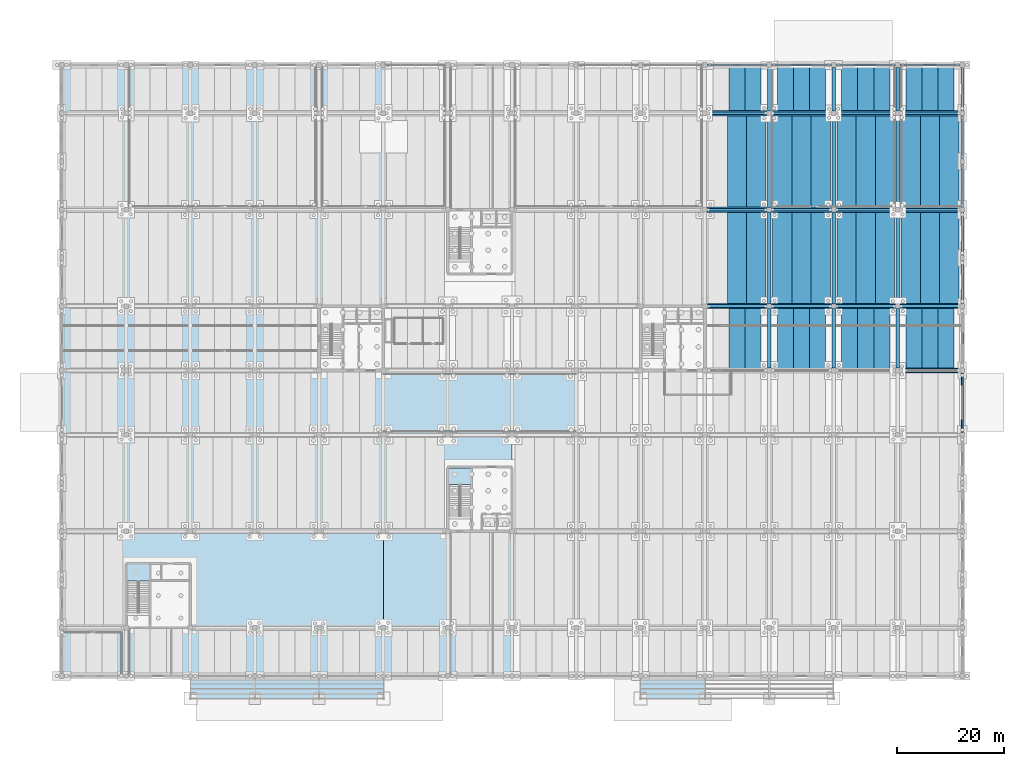
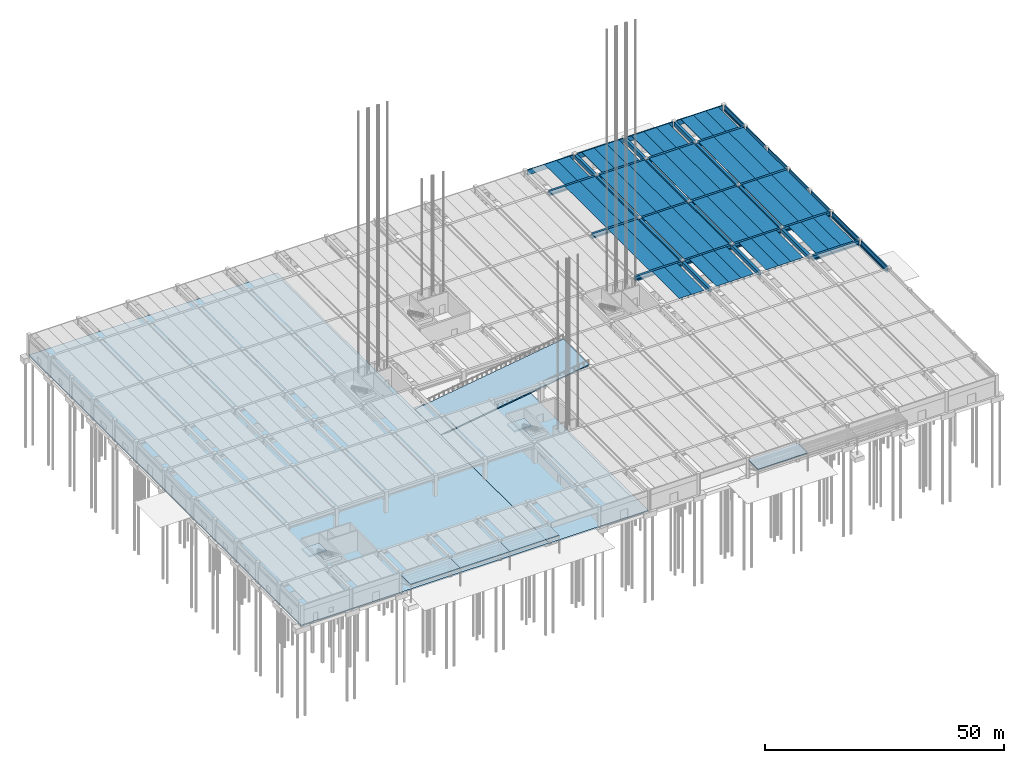
# One storey, part 23 of 59: 80 beams, 9 slabs, 2 elements without a shape of their own.
"""IFC4 building model written with IfcOpenShell, lengths in metres."""

from ifc_helpers import new_model, si_unit, direction, frame, origin, origin_2d, place, context, subcontext, project, spatial, polyline, rectangle, outline, extrude, material, layer, layer_set, material_profile, profile_set, type_object, element, aggregate, save


model = new_model("IFC4")

# Units and contexts
model_context = context("Model", 3, precision=1e-05, world=origin(), true_north=direction((0.0, 1.0)))
body_context = subcontext(model_context, "Body", "Model", "MODEL_VIEW")
ifc_project = project(units=[si_unit("LENGTHUNIT", "METRE"), si_unit("AREAUNIT", "SQUARE_METRE"), si_unit("VOLUMEUNIT", "CUBIC_METRE"), si_unit("PLANEANGLEUNIT", "RADIAN"), si_unit("MASSUNIT", "GRAM", prefix="KILO")], contexts=[model_context])

# Site, building, storey
site_placement = place(None, origin())
site = spatial("IfcSite", under=ifc_project, at=site_placement, CompositionType="ELEMENT")
building_placement = place(site_placement, origin())
building = spatial("IfcBuilding", under=site, at=building_placement, Name="Girod Span Mobility Hub", CompositionType="ELEMENT")
storey_placement = place(building_placement, origin())
storey = spatial("IfcBuildingStorey", under=building, at=storey_placement, Name="L00", CompositionType="ELEMENT", Elevation=0.0)

# Beams
ifc_material_1 = material(Name="Concrete C50/60", Category="concrete")
ifc_material_profile_1 = material_profile(ifc_material_1, outline(polyline([(-1.5, 0.35009765625), (-1.5, 0.2548828125), (-0.840087890625, 0.2548828125), (-0.81494140625, -0.35009765625), (-0.68505859375, -0.35009765625), (-0.659912109375, 0.2548828125), (0.659912109375, 0.2548828125), (0.68505859375, -0.35009765625), (0.81494140625, -0.35009765625), (0.840087890625, 0.2548828125), (1.5, 0.2548828125), (1.5, 0.35009765625), (-1.5, 0.35009765625)])), Name="DT-3000X700")
ifc_profile_set_1 = profile_set([ifc_material_profile_1], Name="Concrete C50/60")
beam_type_1 = type_object("IfcBeamType", Name="BM-DT-3000X700", PredefinedType="JOIST", material=ifc_profile_set_1)
for number, where, z_axis, x_axis, name in (
    (1, (126.0, 57.27197265625, 4.85009765625), (0.0, 1.0, 0.0), (-1.0, 0.0, 0.0), "Double-Tee Deck 11/E-2 L00"),
    (2, (129.0, 57.27197265625, 4.85009765625), (0.0, 1.0, 0.0), (-1.0, 0.0, 0.0), "Double-Tee Deck 11/E-3 L00"),
):
    element("IfcBeam", number, at=place(storey_placement, frame(where, z_axis=z_axis, x_axis=x_axis)), inside=storey, type_object=beam_type_1, Name=name, PredefinedType="JOIST", context=body_context, shape_type="SweptSolid", body=[
        extrude(outline(polyline([(-1.5, 0.35009765625), (-1.5, 0.2548828125), (-0.840087890625, 0.2548828125), (-0.81494140625, -0.35009765625), (-0.68505859375, -0.35009765625), (-0.659912109375, 0.2548828125), (0.659912109375, 0.2548828125), (0.68505859375, -0.35009765625), (0.81494140625, -0.35009765625), (0.840087890625, 0.2548828125), (1.5, 0.2548828125), (1.5, 0.35009765625), (-1.5, 0.35009765625)])), origin(), (0.0, 0.0, 1.0), 11.4560546875),
    ])
for number, where, z_axis, x_axis, name in (
    (3, (126.0, 105.27197265625, 4.85009765625), (0.0, 1.0, 0.0), (-1.0, 0.0, 0.0), "Double-Tee Deck 11/H-2 L00"),
    (4, (129.0, 105.27197265625, 4.85009765625), (0.0, 1.0, 0.0), (-1.0, 0.0, 0.0), "Double-Tee Deck 11/H-3 L00"),
):
    element("IfcBeam", number, at=place(storey_placement, frame(where, z_axis=z_axis, x_axis=x_axis)), inside=storey, type_object=beam_type_1, Name=name, PredefinedType="JOIST", context=body_context, shape_type="SweptSolid", body=[
        extrude(outline(polyline([(-1.5, 0.35009765625), (-1.5, 0.2548828125), (-0.840087890625, 0.2548828125), (-0.81494140625, -0.35009765625), (-0.68505859375, -0.35009765625), (-0.659912109375, 0.2548828125), (0.659912109375, 0.2548828125), (0.68505859375, -0.35009765625), (0.81494140625, -0.35009765625), (0.840087890625, 0.2548828125), (1.5, 0.2548828125), (1.5, 0.35009765625), (-1.5, 0.35009765625)])), origin(), (0.0, 0.0, 1.0), 8.506103515625),
    ])
for number, where, z_axis, x_axis, name in (
    (5, (135.0, 57.27197265625, 4.85009765625), (0.0, 1.0, 0.0), (-1.0, 0.0, 0.0), "Double-Tee Deck 12/E-1 L00"),
    (6, (138.0, 57.27197265625, 4.85009765625), (0.0, 1.0, 0.0), (-1.0, 0.0, 0.0), "Double-Tee Deck 12/E-2 L00"),
    (7, (141.0, 57.27197265625, 4.85009765625), (0.0, 1.0, 0.0), (-1.0, 0.0, 0.0), "Double-Tee Deck 12/E-3 L00"),
):
    element("IfcBeam", number, at=place(storey_placement, frame(where, z_axis=z_axis, x_axis=x_axis)), inside=storey, type_object=beam_type_1, Name=name, PredefinedType="JOIST", context=body_context, shape_type="SweptSolid", body=[
        extrude(outline(polyline([(-1.5, 0.35009765625), (-1.5, 0.2548828125), (-0.840087890625, 0.2548828125), (-0.81494140625, -0.35009765625), (-0.68505859375, -0.35009765625), (-0.659912109375, 0.2548828125), (0.659912109375, 0.2548828125), (0.68505859375, -0.35009765625), (0.81494140625, -0.35009765625), (0.840087890625, 0.2548828125), (1.5, 0.2548828125), (1.5, 0.35009765625), (-1.5, 0.35009765625)])), origin(), (0.0, 0.0, 1.0), 11.4560546875),
    ])
for number, where, z_axis, x_axis, name in (
    (8, (135.0, 105.27197265625, 4.85009765625), (0.0, 1.0, 0.0), (-1.0, 0.0, 0.0), "Double-Tee Deck 12/H-1 L00"),
    (9, (138.0, 105.27197265625, 4.85009765625), (0.0, 1.0, 0.0), (-1.0, 0.0, 0.0), "Double-Tee Deck 12/H-2 L00"),
    (10, (141.0, 105.27197265625, 4.85009765625), (0.0, 1.0, 0.0), (-1.0, 0.0, 0.0), "Double-Tee Deck 12/H-3 L00"),
):
    element("IfcBeam", number, at=place(storey_placement, frame(where, z_axis=z_axis, x_axis=x_axis)), inside=storey, type_object=beam_type_1, Name=name, PredefinedType="JOIST", context=body_context, shape_type="SweptSolid", body=[
        extrude(outline(polyline([(-1.5, 0.35009765625), (-1.5, 0.2548828125), (-0.840087890625, 0.2548828125), (-0.81494140625, -0.35009765625), (-0.68505859375, -0.35009765625), (-0.659912109375, 0.2548828125), (0.659912109375, 0.2548828125), (0.68505859375, -0.35009765625), (0.81494140625, -0.35009765625), (0.840087890625, 0.2548828125), (1.5, 0.2548828125), (1.5, 0.35009765625), (-1.5, 0.35009765625)])), origin(), (0.0, 0.0, 1.0), 8.506103515625),
    ])
for number, where, z_axis, x_axis, name in (
    (11, (147.0, 57.27197265625, 4.85009765625), (0.0, 1.0, 0.0), (-1.0, 0.0, 0.0), "Double-Tee Deck 13/E-1 L00"),
    (12, (150.0, 57.27197265625, 4.85009765625), (0.0, 1.0, 0.0), (-1.0, 0.0, 0.0), "Double-Tee Deck 13/E-2 L00"),
    (13, (153.0, 57.27197265625, 4.85009765625), (0.0, 1.0, 0.0), (-1.0, 0.0, 0.0), "Double-Tee Deck 13/E-3 L00"),
):
    element("IfcBeam", number, at=place(storey_placement, frame(where, z_axis=z_axis, x_axis=x_axis)), inside=storey, type_object=beam_type_1, Name=name, PredefinedType="JOIST", context=body_context, shape_type="SweptSolid", body=[
        extrude(outline(polyline([(-1.5, 0.35009765625), (-1.5, 0.2548828125), (-0.840087890625, 0.2548828125), (-0.81494140625, -0.35009765625), (-0.68505859375, -0.35009765625), (-0.659912109375, 0.2548828125), (0.659912109375, 0.2548828125), (0.68505859375, -0.35009765625), (0.81494140625, -0.35009765625), (0.840087890625, 0.2548828125), (1.5, 0.2548828125), (1.5, 0.35009765625), (-1.5, 0.35009765625)])), origin(), (0.0, 0.0, 1.0), 11.4560546875),
    ])
for number, where, z_axis, x_axis, name in (
    (14, (147.0, 105.27197265625, 4.85009765625), (0.0, 1.0, 0.0), (-1.0, 0.0, 0.0), "Double-Tee Deck 13/H-1 L00"),
    (15, (150.0, 105.27197265625, 4.85009765625), (0.0, 1.0, 0.0), (-1.0, 0.0, 0.0), "Double-Tee Deck 13/H-2 L00"),
    (16, (153.0, 105.27197265625, 4.85009765625), (0.0, 1.0, 0.0), (-1.0, 0.0, 0.0), "Double-Tee Deck 13/H-3 L00"),
):
    element("IfcBeam", number, at=place(storey_placement, frame(where, z_axis=z_axis, x_axis=x_axis)), inside=storey, type_object=beam_type_1, Name=name, PredefinedType="JOIST", context=body_context, shape_type="SweptSolid", body=[
        extrude(outline(polyline([(-1.5, 0.35009765625), (-1.5, 0.2548828125), (-0.840087890625, 0.2548828125), (-0.81494140625, -0.35009765625), (-0.68505859375, -0.35009765625), (-0.659912109375, 0.2548828125), (0.659912109375, 0.2548828125), (0.68505859375, -0.35009765625), (0.81494140625, -0.35009765625), (0.840087890625, 0.2548828125), (1.5, 0.2548828125), (1.5, 0.35009765625), (-1.5, 0.35009765625)])), origin(), (0.0, 0.0, 1.0), 8.506103515625),
    ])
for number, where, z_axis, x_axis, name in (
    (17, (159.0, 57.27197265625, 4.85009765625), (0.0, 1.0, 0.0), (-1.0, 0.0, 0.0), "Double-Tee Deck 14/E-1 L00"),
    (18, (162.0, 57.27197265625, 4.85009765625), (0.0, 1.0, 0.0), (-1.0, 0.0, 0.0), "Double-Tee Deck 14/E-2 L00"),
    (19, (165.0, 57.27197265625, 4.85009765625), (0.0, 1.0, 0.0), (-1.0, 0.0, 0.0), "Double-Tee Deck 14/E-3 L00"),
):
    element("IfcBeam", number, at=place(storey_placement, frame(where, z_axis=z_axis, x_axis=x_axis)), inside=storey, type_object=beam_type_1, Name=name, PredefinedType="JOIST", context=body_context, shape_type="SweptSolid", body=[
        extrude(outline(polyline([(-1.5, 0.35009765625), (-1.5, 0.2548828125), (-0.840087890625, 0.2548828125), (-0.81494140625, -0.35009765625), (-0.68505859375, -0.35009765625), (-0.659912109375, 0.2548828125), (0.659912109375, 0.2548828125), (0.68505859375, -0.35009765625), (0.81494140625, -0.35009765625), (0.840087890625, 0.2548828125), (1.5, 0.2548828125), (1.5, 0.35009765625), (-1.5, 0.35009765625)])), origin(), (0.0, 0.0, 1.0), 11.4560546875),
    ])
for number, where, z_axis, x_axis, name in (
    (20, (159.0, 105.27197265625, 4.85009765625), (0.0, 1.0, 0.0), (-1.0, 0.0, 0.0), "Double-Tee Deck 14/H-1 L00"),
    (21, (162.0, 105.27197265625, 4.85009765625), (0.0, 1.0, 0.0), (-1.0, 0.0, 0.0), "Double-Tee Deck 14/H-2 L00"),
    (22, (165.0, 105.27197265625, 4.85009765625), (0.0, 1.0, 0.0), (-1.0, 0.0, 0.0), "Double-Tee Deck 14/H-3 L00"),
):
    element("IfcBeam", number, at=place(storey_placement, frame(where, z_axis=z_axis, x_axis=x_axis)), inside=storey, type_object=beam_type_1, Name=name, PredefinedType="JOIST", context=body_context, shape_type="SweptSolid", body=[
        extrude(outline(polyline([(-1.5, 0.35009765625), (-1.5, 0.2548828125), (-0.840087890625, 0.2548828125), (-0.81494140625, -0.35009765625), (-0.68505859375, -0.35009765625), (-0.659912109375, 0.2548828125), (0.659912109375, 0.2548828125), (0.68505859375, -0.35009765625), (0.81494140625, -0.35009765625), (0.840087890625, 0.2548828125), (1.5, 0.2548828125), (1.5, 0.35009765625), (-1.5, 0.35009765625)])), origin(), (0.0, 0.0, 1.0), 8.506103515625),
    ])
ifc_material_2 = material(Name="Concrete C50/60", Category="concrete")
ifc_material_profile_2 = material_profile(ifc_material_2, outline(polyline([(-1.800048828125, 0.47509765625), (-1.800048828125, 0.364990234375), (-1.010009765625, 0.364990234375), (-0.97509765625, -0.47509765625), (-0.824951171875, -0.47509765625), (-0.7900390625, 0.364990234375), (0.7900390625, 0.364990234375), (0.824951171875, -0.47509765625), (0.97509765625, -0.47509765625), (1.010009765625, 0.364990234375), (1.800048828125, 0.364990234375), (1.800048828125, 0.47509765625), (-1.800048828125, 0.47509765625)])), Name="DT-3600X950")
ifc_profile_set_2 = profile_set([ifc_material_profile_2], Name="Concrete C50/60")
beam_type_2 = type_object("IfcBeamType", Name="BM-DT-3600X950", PredefinedType="JOIST", material=ifc_profile_set_2)
for number, where, z_axis, x_axis, name in (
    (23, (126.0, 69.27197265625, 4.72509765625), (0.0, 1.0, 0.0), (-1.0, 0.0, 0.0), "Double-Tee Deck 11/F-2 L00"),
    (24, (129.60009765625, 69.27197265625, 4.72509765625), (0.0, 1.0, 0.0), (-1.0, 0.0, 0.0), "Double-Tee Deck 11/F-3 L00"),
    (25, (126.0, 87.27197265625, 4.72509765625), (0.0, 1.0, 0.0), (-1.0, 0.0, 0.0), "Double-Tee Deck 11/G-2 L00"),
    (26, (129.60009765625, 87.27197265625, 4.72509765625), (0.0, 1.0, 0.0), (-1.0, 0.0, 0.0), "Double-Tee Deck 11/G-3 L00"),
    (27, (134.39990234375, 69.27197265625, 4.72509765625), (0.0, 1.0, 0.0), (-1.0, 0.0, 0.0), "Double-Tee Deck 12/F-1 L00"),
    (28, (138.0, 69.27197265625, 4.72509765625), (0.0, 1.0, 0.0), (-1.0, 0.0, 0.0), "Double-Tee Deck 12/F-2 L00"),
    (29, (141.60009765625, 69.27197265625, 4.72509765625), (0.0, 1.0, 0.0), (-1.0, 0.0, 0.0), "Double-Tee Deck 12/F-3 L00"),
    (30, (134.39990234375, 87.27197265625, 4.72509765625), (0.0, 1.0, 0.0), (-1.0, 0.0, 0.0), "Double-Tee Deck 12/G-1 L00"),
    (31, (138.0, 87.27197265625, 4.72509765625), (0.0, 1.0, 0.0), (-1.0, 0.0, 0.0), "Double-Tee Deck 12/G-2 L00"),
    (32, (141.60009765625, 87.27197265625, 4.72509765625), (0.0, 1.0, 0.0), (-1.0, 0.0, 0.0), "Double-Tee Deck 12/G-3 L00"),
    (33, (146.39990234375, 69.27197265625, 4.72509765625), (0.0, 1.0, 0.0), (-1.0, 0.0, 0.0), "Double-Tee Deck 13/F-1 L00"),
    (34, (150.0, 69.27197265625, 4.72509765625), (0.0, 1.0, 0.0), (-1.0, 0.0, 0.0), "Double-Tee Deck 13/F-2 L00"),
    (35, (153.60009765625, 69.27197265625, 4.72509765625), (0.0, 1.0, 0.0), (-1.0, 0.0, 0.0), "Double-Tee Deck 13/F-3 L00"),
    (36, (146.39990234375, 87.27197265625, 4.72509765625), (0.0, 1.0, 0.0), (-1.0, 0.0, 0.0), "Double-Tee Deck 13/G-1 L00"),
    (37, (150.0, 87.27197265625, 4.72509765625), (0.0, 1.0, 0.0), (-1.0, 0.0, 0.0), "Double-Tee Deck 13/G-2 L00"),
    (38, (153.60009765625, 87.27197265625, 4.72509765625), (0.0, 1.0, 0.0), (-1.0, 0.0, 0.0), "Double-Tee Deck 13/G-3 L00"),
    (39, (158.39990234375, 69.27197265625, 4.72509765625), (0.0, 1.0, 0.0), (-1.0, 0.0, 0.0), "Double-Tee Deck 14/F-1 L00"),
    (40, (162.0, 69.27197265625, 4.72509765625), (0.0, 1.0, 0.0), (-1.0, 0.0, 0.0), "Double-Tee Deck 14/F-2 L00"),
    (41, (165.60009765625, 69.27197265625, 4.72509765625), (0.0, 1.0, 0.0), (-1.0, 0.0, 0.0), "Double-Tee Deck 14/F-3 L00"),
    (42, (158.39990234375, 87.27197265625, 4.72509765625), (0.0, 1.0, 0.0), (-1.0, 0.0, 0.0), "Double-Tee Deck 14/G-1 L00"),
    (43, (162.0, 87.27197265625, 4.72509765625), (0.0, 1.0, 0.0), (-1.0, 0.0, 0.0), "Double-Tee Deck 14/G-2 L00"),
    (44, (165.60009765625, 87.27197265625, 4.72509765625), (0.0, 1.0, 0.0), (-1.0, 0.0, 0.0), "Double-Tee Deck 14/G-3 L00"),
):
    element("IfcBeam", number, at=place(storey_placement, frame(where, z_axis=z_axis, x_axis=x_axis)), inside=storey, type_object=beam_type_2, Name=name, PredefinedType="JOIST", context=body_context, shape_type="SweptSolid", body=[
        extrude(outline(polyline([(-1.800048828125, 0.47509765625), (-1.800048828125, 0.364990234375), (-1.010009765625, 0.364990234375), (-0.97509765625, -0.47509765625), (-0.824951171875, -0.47509765625), (-0.7900390625, 0.364990234375), (0.7900390625, 0.364990234375), (0.824951171875, -0.47509765625), (0.97509765625, -0.47509765625), (1.010009765625, 0.364990234375), (1.800048828125, 0.364990234375), (1.800048828125, 0.47509765625), (-1.800048828125, 0.47509765625)])), origin(), (0.0, 0.0, 1.0), 17.4560546875),
    ])
ifc_material_3 = material(Name="Concrete C50/60", Category="concrete")
ifc_material_profile_3 = material_profile(ifc_material_3, outline(polyline([(-0.47509765625, -0.52490234375), (0.47509765625, -0.52490234375), (0.47509765625, -0.175048828125), (0.27490234375, -0.175048828125), (0.27490234375, 0.52490234375), (-0.27490234375, 0.52490234375), (-0.27490234375, -0.175048828125), (-0.47509765625, -0.175048828125), (-0.47509765625, -0.52490234375)])), Name="IT-950X1050")
ifc_profile_set_3 = profile_set([ifc_material_profile_3], Name="Concrete C50/60")
beam_type_3 = type_object("IfcBeamType", Name="BM-IT-950X1050", PredefinedType="T_BEAM", material=ifc_profile_set_3)
beam_1_placement = place(storey_placement, frame((156.422119140625, 57.0, 4.675048828125), z_axis=(1.0, 0.0, 0.0), x_axis=(0.0, 1.0, 0.0)))
element("IfcBeam", 45, at=beam_1_placement, inside=storey, type_object=beam_type_3, Name="Girder 14-15/E L00", PredefinedType="T_BEAM", context=body_context, shape_type="SweptSolid", body=[
    extrude(outline(polyline([(-0.47509765625, -0.52490234375), (0.47509765625, -0.52490234375), (0.47509765625, -0.175048828125), (0.27490234375, -0.175048828125), (0.27490234375, 0.52490234375), (-0.27490234375, 0.52490234375), (-0.27490234375, -0.175048828125), (-0.47509765625, -0.175048828125), (-0.47509765625, -0.52490234375)])), origin(), (0.0, 0.0, 1.0), 11.15576171875),
])
beam_2_placement = place(storey_placement, frame((120.447021484375, 69.0, 4.675048828125), z_axis=(1.0, 0.0, 0.0), x_axis=(0.0, 1.0, 0.0)))
element("IfcBeam", 46, at=beam_2_placement, inside=storey, type_object=beam_type_3, Name="Girder 11-12/F L00", PredefinedType="T_BEAM", context=body_context, shape_type="SweptSolid", body=[
    extrude(outline(polyline([(-0.47509765625, -0.52490234375), (0.47509765625, -0.52490234375), (0.47509765625, -0.175048828125), (0.27490234375, -0.175048828125), (0.27490234375, 0.52490234375), (-0.27490234375, 0.52490234375), (-0.27490234375, -0.175048828125), (-0.47509765625, -0.175048828125), (-0.47509765625, -0.52490234375)])), origin(), (0.0, 0.0, 1.0), 11.130859375),
])
for number, where, z_axis, x_axis, name in (
    (47, (132.422119140625, 69.0, 4.675048828125), (1.0, 0.0, 0.0), (0.0, 1.0, 0.0), "Girder 12-13/F L00"),
    (48, (144.422119140625, 69.0, 4.675048828125), (1.0, 0.0, 0.0), (0.0, 1.0, 0.0), "Girder 13-14/F L00"),
    (49, (156.422119140625, 69.0, 4.675048828125), (1.0, 0.0, 0.0), (0.0, 1.0, 0.0), "Girder 14-15/F L00"),
    (50, (120.422119140625, 87.0, 4.675048828125), (1.0, 0.0, 0.0), (0.0, 1.0, 0.0), "Girder 11-12/G L00"),
    (51, (132.422119140625, 87.0, 4.675048828125), (1.0, 0.0, 0.0), (0.0, 1.0, 0.0), "Girder 12-13/G L00"),
    (52, (144.422119140625, 87.0, 4.675048828125), (1.0, 0.0, 0.0), (0.0, 1.0, 0.0), "Girder 13-14/G L00"),
    (53, (156.422119140625, 87.0, 4.675048828125), (1.0, 0.0, 0.0), (0.0, 1.0, 0.0), "Girder 14-15/G L00"),
    (54, (120.422119140625, 105.0, 4.675048828125), (1.0, 0.0, 0.0), (0.0, 1.0, 0.0), "Girder 11-12/H L00"),
    (55, (132.422119140625, 105.0, 4.675048828125), (1.0, 0.0, 0.0), (0.0, 1.0, 0.0), "Girder 12-13/H L00"),
    (56, (144.422119140625, 105.0, 4.675048828125), (1.0, 0.0, 0.0), (0.0, 1.0, 0.0), "Girder 13-14/H L00"),
    (57, (156.422119140625, 105.0, 4.675048828125), (1.0, 0.0, 0.0), (0.0, 1.0, 0.0), "Girder 14-15/H L00"),
):
    element("IfcBeam", number, at=place(storey_placement, frame(where, z_axis=z_axis, x_axis=x_axis)), inside=storey, type_object=beam_type_3, Name=name, PredefinedType="T_BEAM", context=body_context, shape_type="SweptSolid", body=[
        extrude(outline(polyline([(-0.47509765625, -0.52490234375), (0.47509765625, -0.52490234375), (0.47509765625, -0.175048828125), (0.27490234375, -0.175048828125), (0.27490234375, 0.52490234375), (-0.27490234375, 0.52490234375), (-0.27490234375, -0.175048828125), (-0.47509765625, -0.175048828125), (-0.47509765625, -0.52490234375)])), origin(), (0.0, 0.0, 1.0), 11.15576171875),
    ])
ifc_material_4 = material(Name="Concrete C40/50", Category="concrete")
ifc_material_profile_4 = material_profile(ifc_material_4, outline(polyline([(-0.22509765625, -0.675048828125), (0.22509765625, -0.675048828125), (0.22509765625, -0.324951171875), (0.02490234375, -0.324951171875), (0.02490234375, 0.675048828125), (-0.22509765625, 0.675048828125), (-0.22509765625, -0.675048828125)])), Name="SP-450X1350")
ifc_profile_set_4 = profile_set([ifc_material_profile_4], Name="Concrete C40/50")
beam_type_4 = type_object("IfcBeamType", Name="BM-SP-450X1350", PredefinedType="SPANDREL", material=ifc_profile_set_4)
for number, where, z_axis, x_axis, name in (
    (58, (120.422119140625, 114.0, 4.52490234375), (1.0, 0.0, 0.0), (0.0, 1.0, 0.0), "Girder 11-12/J L00"),
    (59, (132.422119140625, 114.0, 4.52490234375), (1.0, 0.0, 0.0), (0.0, 1.0, 0.0), "Girder 12-13/J L00"),
    (60, (144.422119140625, 114.0, 4.52490234375), (1.0, 0.0, 0.0), (0.0, 1.0, 0.0), "Girder 13-14/J L00"),
    (61, (156.422119140625, 114.0, 4.52490234375), (1.0, 0.0, 0.0), (0.0, 1.0, 0.0), "Girder 14-15/J L00"),
    (62, (168.0, 45.422119140625, 4.52490234375), (0.0, 1.0, 0.0), (-1.0, 0.0, 0.0), "Tie Girder 15/D-E L00"),
    (63, (168.0, 57.422119140625, 4.52490234375), (0.0, 1.0, 0.0), (-1.0, 0.0, 0.0), "Tie Girder 15/E-F L00"),
):
    element("IfcBeam", number, at=place(storey_placement, frame(where, z_axis=z_axis, x_axis=x_axis)), inside=storey, type_object=beam_type_4, Name=name, PredefinedType="SPANDREL", context=body_context, shape_type="SweptSolid", body=[
        extrude(outline(polyline([(-0.22509765625, -0.675048828125), (0.22509765625, -0.675048828125), (0.22509765625, -0.324951171875), (0.02490234375, -0.324951171875), (0.02490234375, 0.675048828125), (-0.22509765625, 0.675048828125), (-0.22509765625, -0.675048828125)])), origin(), (0.0, 0.0, 1.0), 11.15576171875),
    ])
for number, where, z_axis, x_axis, name in (
    (64, (168.0, 69.422119140625, 4.52490234375), (0.0, 1.0, 0.0), (-1.0, 0.0, 0.0), "Perimeter Spandrel 15/F-S L00"),
    (65, (168.0, 78.471923828125, 4.52490234375), (0.0, 1.0, 0.0), (-1.0, 0.0, 0.0), "Perimeter Spandrel 15/F-N L00"),
    (66, (168.0, 87.422119140625, 4.52490234375), (0.0, 1.0, 0.0), (-1.0, 0.0, 0.0), "Perimeter Spandrel 15/G-S L00"),
    (67, (168.0, 96.471923828125, 4.52490234375), (0.0, 1.0, 0.0), (-1.0, 0.0, 0.0), "Perimeter Spandrel 15/G-N L00"),
):
    element("IfcBeam", number, at=place(storey_placement, frame(where, z_axis=z_axis, x_axis=x_axis)), inside=storey, type_object=beam_type_4, Name=name, PredefinedType="SPANDREL", context=body_context, shape_type="SweptSolid", body=[
        extrude(outline(polyline([(-0.22509765625, -0.675048828125), (0.22509765625, -0.675048828125), (0.22509765625, -0.324951171875), (0.02490234375, -0.324951171875), (0.02490234375, 0.675048828125), (-0.22509765625, 0.675048828125), (-0.22509765625, -0.675048828125)])), origin(), (0.0, 0.0, 1.0), 8.10595703125),
    ])
beam_3_placement = place(storey_placement, frame((168.0, 105.422119140625, 4.52490234375), z_axis=(0.0, 1.0, 0.0), x_axis=(-1.0, 0.0, 0.0)))
element("IfcBeam", 68, at=beam_3_placement, inside=storey, type_object=beam_type_4, Name="Tie Girder 15/H-J L00", PredefinedType="SPANDREL", context=body_context, shape_type="SweptSolid", body=[
    extrude(outline(polyline([(-0.22509765625, -0.675048828125), (0.22509765625, -0.675048828125), (0.22509765625, -0.324951171875), (0.02490234375, -0.324951171875), (0.02490234375, 0.675048828125), (-0.22509765625, 0.675048828125), (-0.22509765625, -0.675048828125)])), origin(), (0.0, 0.0, 1.0), 8.15576171875),
])
ifc_material_5 = material(Name="Concrete C40/50", Category="concrete")
ifc_material_profile_5 = material_profile(ifc_material_5, rectangle(XDim=0.64990234375, YDim=1.0, at=origin_2d()), Name="TG-650X1000")
ifc_profile_set_5 = profile_set([ifc_material_profile_5], Name="Concrete C40/50")
beam_type_5 = type_object("IfcBeamType", Name="BM-TG-650X1000", PredefinedType="T_BEAM", material=ifc_profile_set_5)
beam_4_placement = place(storey_placement, frame((132.0, 57.422119140625, 4.699951171875), z_axis=(0.0, 1.0, 0.0), x_axis=(-1.0, 0.0, 0.0)))
element("IfcBeam", 69, at=beam_4_placement, inside=storey, type_object=beam_type_5, Name="Tie Girder 12/E-F L00", PredefinedType="T_BEAM", context=body_context, shape_type="SweptSolid", body=[
    extrude(rectangle(XDim=0.64990234375, YDim=1.0, at=origin_2d()), origin(), (0.0, 0.0, 1.0), 11.15576171875),
])
for number, where, z_axis, x_axis, name in (
    (70, (132.0, 69.422119140625, 4.699951171875), (0.0, 1.0, 0.0), (-1.0, 0.0, 0.0), "Tie Girder 12/F-G L00"),
    (71, (132.0, 87.422119140625, 4.699951171875), (0.0, 1.0, 0.0), (-1.0, 0.0, 0.0), "Tie Girder 12/G-H L00"),
):
    element("IfcBeam", number, at=place(storey_placement, frame(where, z_axis=z_axis, x_axis=x_axis)), inside=storey, type_object=beam_type_5, Name=name, PredefinedType="T_BEAM", context=body_context, shape_type="SweptSolid", body=[
        extrude(rectangle(XDim=0.64990234375, YDim=1.0, at=origin_2d()), origin(), (0.0, 0.0, 1.0), 17.15576171875),
    ])
beam_5_placement = place(storey_placement, frame((132.0, 105.422119140625, 4.699951171875), z_axis=(0.0, 1.0, 0.0), x_axis=(-1.0, 0.0, 0.0)))
element("IfcBeam", 72, at=beam_5_placement, inside=storey, type_object=beam_type_5, Name="Tie Girder 12/H-J L00", PredefinedType="T_BEAM", context=body_context, shape_type="SweptSolid", body=[
    extrude(rectangle(XDim=0.64990234375, YDim=1.0, at=origin_2d()), origin(), (0.0, 0.0, 1.0), 8.15576171875),
])
beam_6_placement = place(storey_placement, frame((144.0, 57.422119140625, 4.699951171875), z_axis=(0.0, 1.0, 0.0), x_axis=(-1.0, 0.0, 0.0)))
element("IfcBeam", 73, at=beam_6_placement, inside=storey, type_object=beam_type_5, Name="Tie Girder 13/E-F L00", PredefinedType="T_BEAM", context=body_context, shape_type="SweptSolid", body=[
    extrude(rectangle(XDim=0.64990234375, YDim=1.0, at=origin_2d()), origin(), (0.0, 0.0, 1.0), 11.15576171875),
])
for number, where, z_axis, x_axis, name in (
    (74, (144.0, 69.422119140625, 4.699951171875), (0.0, 1.0, 0.0), (-1.0, 0.0, 0.0), "Tie Girder 13/F-G L00"),
    (75, (144.0, 87.422119140625, 4.699951171875), (0.0, 1.0, 0.0), (-1.0, 0.0, 0.0), "Tie Girder 13/G-H L00"),
):
    element("IfcBeam", number, at=place(storey_placement, frame(where, z_axis=z_axis, x_axis=x_axis)), inside=storey, type_object=beam_type_5, Name=name, PredefinedType="T_BEAM", context=body_context, shape_type="SweptSolid", body=[
        extrude(rectangle(XDim=0.64990234375, YDim=1.0, at=origin_2d()), origin(), (0.0, 0.0, 1.0), 17.15576171875),
    ])
beam_7_placement = place(storey_placement, frame((144.0, 105.422119140625, 4.699951171875), z_axis=(0.0, 1.0, 0.0), x_axis=(-1.0, 0.0, 0.0)))
element("IfcBeam", 76, at=beam_7_placement, inside=storey, type_object=beam_type_5, Name="Tie Girder 13/H-J L00", PredefinedType="T_BEAM", context=body_context, shape_type="SweptSolid", body=[
    extrude(rectangle(XDim=0.64990234375, YDim=1.0, at=origin_2d()), origin(), (0.0, 0.0, 1.0), 8.15576171875),
])
beam_8_placement = place(storey_placement, frame((156.0, 57.422119140625, 4.699951171875), z_axis=(0.0, 1.0, 0.0), x_axis=(-1.0, 0.0, 0.0)))
element("IfcBeam", 77, at=beam_8_placement, inside=storey, type_object=beam_type_5, Name="Tie Girder 14/E-F L00", PredefinedType="T_BEAM", context=body_context, shape_type="SweptSolid", body=[
    extrude(rectangle(XDim=0.64990234375, YDim=1.0, at=origin_2d()), origin(), (0.0, 0.0, 1.0), 11.15576171875),
])
for number, where, z_axis, x_axis, name in (
    (78, (156.0, 69.422119140625, 4.699951171875), (0.0, 1.0, 0.0), (-1.0, 0.0, 0.0), "Tie Girder 14/F-G L00"),
    (79, (156.0, 87.422119140625, 4.699951171875), (0.0, 1.0, 0.0), (-1.0, 0.0, 0.0), "Tie Girder 14/G-H L00"),
):
    element("IfcBeam", number, at=place(storey_placement, frame(where, z_axis=z_axis, x_axis=x_axis)), inside=storey, type_object=beam_type_5, Name=name, PredefinedType="T_BEAM", context=body_context, shape_type="SweptSolid", body=[
        extrude(rectangle(XDim=0.64990234375, YDim=1.0, at=origin_2d()), origin(), (0.0, 0.0, 1.0), 17.15576171875),
    ])
beam_9_placement = place(storey_placement, frame((156.0, 105.422119140625, 4.699951171875), z_axis=(0.0, 1.0, 0.0), x_axis=(-1.0, 0.0, 0.0)))
element("IfcBeam", 80, at=beam_9_placement, inside=storey, type_object=beam_type_5, Name="Tie Girder 14/H-J L00", PredefinedType="T_BEAM", context=body_context, shape_type="SweptSolid", body=[
    extrude(rectangle(XDim=0.64990234375, YDim=1.0, at=origin_2d()), origin(), (0.0, 0.0, 1.0), 8.15576171875),
])

# Slabs
ifc_material_6 = material(Name="Concrete C40/50", Category="concrete")
ifc_layer_1 = layer(ifc_material_6, 0.35009765625)
ifc_layer_set_1 = layer_set([ifc_layer_1], Name="Concrete C40/50")
slab_type_1 = type_object("IfcSlabType", Name="SL-BASE-350", PredefinedType="BASESLAB", material=ifc_layer_set_1)
slab_1_placement = place(storey_placement, frame((0.0, 0.0, -0.35009765625)))
element("IfcSlab", 81, at=slab_1_placement, inside=storey, type_object=slab_type_1, Name="Floor Slab L00 Sector W", PredefinedType="BASESLAB", context=body_context, shape_type="SweptSolid", body=[
    extrude(outline(polyline([(0.0, 114.0), (60.0, 114.0), (60.0, 0.0), (0.0, 0.0), (0.0, 114.0)])), origin(), (0.0, 0.0, 1.0), 0.35009765625),
])
slab_2_placement = place(storey_placement, frame((0.0, 0.0, -0.35009765625)))
element("IfcSlab", 82, at=slab_2_placement, inside=storey, type_object=slab_type_1, Name="Floor Slab L00 Sector CSW", PredefinedType="BASESLAB", context=body_context, shape_type="SweptSolid", body=[
    extrude(outline(polyline([(60.0, 0.0), (60.0, 57.0), (84.0, 57.0), (84.0, 0.0), (60.0, 0.0)]), holes=[polyline([(60.02001953125, 56.39990234375), (60.02001953125, 45.60009765625), (62.60009765625, 45.60009765625), (62.60009765625, 56.39990234375), (60.02001953125, 56.39990234375)])]), origin(), (0.0, 0.0, 1.0), 0.35009765625),
])
ifc_material_7 = material(Name="Concrete C40/50", Category="concrete")
ifc_layer_2 = layer(ifc_material_7, 0.179931640625)
ifc_layer_set_2 = layer_set([ifc_layer_2], Name="Concrete C40/50")
slab_type_2 = type_object("IfcSlabType", Name="SL-CNPY-180", PredefinedType="USERDEFINED", material=ifc_layer_set_2)
slab_3_placement = place(storey_placement, frame((0.0, 0.0, 4.419921875)))
element("IfcSlab", 83, at=slab_3_placement, inside=storey, type_object=slab_type_2, Name="South Boulevard Transit Canopy W-1", ObjectType="BOULEVARD CANOPY", PredefinedType="USERDEFINED", context=body_context, shape_type="SweptSolid", body=[
    extrude(outline(polyline([(36.0, -4.199951171875), (36.0, 0.0), (24.0, 0.0), (24.0, -4.199951171875), (36.0, -4.199951171875)])), origin(), (0.0, 0.0, 1.0), 0.18017578125),
])
slab_4_placement = place(storey_placement, frame((0.0, 0.0, 4.419921875)))
element("IfcSlab", 84, at=slab_4_placement, inside=storey, type_object=slab_type_2, Name="South Boulevard Transit Canopy W-2", ObjectType="BOULEVARD CANOPY", PredefinedType="USERDEFINED", context=body_context, shape_type="SweptSolid", body=[
    extrude(outline(polyline([(48.0, -4.199951171875), (48.0, 0.0), (36.0, 0.0), (36.0, -4.199951171875), (48.0, -4.199951171875)])), origin(), (0.0, 0.0, 1.0), 0.18017578125),
])
slab_5_placement = place(storey_placement, frame((0.0, 0.0, 4.419921875)))
element("IfcSlab", 85, at=slab_5_placement, inside=storey, type_object=slab_type_2, Name="South Boulevard Transit Canopy W-3", ObjectType="BOULEVARD CANOPY", PredefinedType="USERDEFINED", context=body_context, shape_type="SweptSolid", body=[
    extrude(outline(polyline([(60.0, -4.199951171875), (60.0, 0.0), (48.0, 0.0), (48.0, -4.199951171875), (60.0, -4.199951171875)])), origin(), (0.0, 0.0, 1.0), 0.18017578125),
])
slab_6_placement = place(storey_placement, frame((0.0, 0.0, 4.419921875)))
element("IfcSlab", 86, at=slab_6_placement, inside=storey, type_object=slab_type_2, Name="South Boulevard Transit Canopy E-1", ObjectType="BOULEVARD CANOPY", PredefinedType="USERDEFINED", context=body_context, shape_type="SweptSolid", body=[
    extrude(outline(polyline([(120.0, -4.199951171875), (120.0, 0.0), (108.0, 0.0), (108.0, -4.199951171875), (120.0, -4.199951171875)])), origin(), (0.0, 0.0, 1.0), 0.18017578125),
])

# Stair, slab
ifc_material_8 = material(Name="Concrete C40/50", Category="concrete")
stair_type_1 = type_object("IfcStairType", Name="STR-5400-W1860", PredefinedType="HALF_TURN_STAIR", material=ifc_material_8)
stair_1_placement = place(storey_placement, origin())
stair_1 = element("IfcStair", 87, at=stair_1_placement, inside=storey, type_object=stair_type_1, Name="Exit Stair ST-3 L00", PredefinedType="HALF_TURN_STAIR")
ifc_material_9 = material(Name="Concrete C40/50", Category="concrete")
ifc_layer_3 = layer(ifc_material_9, 0.3798828125)
ifc_layer_set_3 = layer_set([ifc_layer_3], Name="Concrete C40/50")
slab_type_3 = type_object("IfcSlabType", Name="SL-LND-380", PredefinedType="LANDING", material=ifc_layer_set_3)
slab_7_placement = place(storey_placement, frame((0.0, 0.0, 2.320068359375)))
slab_7 = element("IfcSlab", 88, at=slab_7_placement, type_object=slab_type_3, Name="Stair ST-3 Half-Landing L00", PredefinedType="LANDING", context=body_context, shape_type="SweptSolid", body=[
    extrude(outline(polyline([(76.3349609375, 35.7060546875), (76.3349609375, 38.81005859375), (72.18994140625, 38.81005859375), (72.18994140625, 35.7060546875), (76.3349609375, 35.7060546875)])), origin(), (0.0, 0.0, 1.0), 0.3798828125),
])
aggregate(stair_1, [slab_7])

ifc_material_10 = material(Name="Concrete C40/50", Category="concrete")
stair_type_2 = type_object("IfcStairType", Name="STR-5400-W1940", PredefinedType="HALF_TURN_STAIR", material=ifc_material_10)
stair_2_placement = place(storey_placement, origin())
stair_2 = element("IfcStair", 89, at=stair_2_placement, inside=storey, type_object=stair_type_2, Name="Exit Stair ST-5 L00", PredefinedType="HALF_TURN_STAIR")
slab_8_placement = place(storey_placement, frame((0.0, 0.0, 2.320068359375)))
slab_8 = element("IfcSlab", 90, at=slab_8_placement, type_object=slab_type_3, Name="Stair ST-5 Half-Landing L00", PredefinedType="LANDING", context=body_context, shape_type="SweptSolid", body=[
    extrude(outline(polyline([(16.3349609375, 17.7060546875), (16.3349609375, 20.860107421875), (12.139892578125, 20.860107421875), (12.139892578125, 17.7060546875), (16.3349609375, 17.7060546875)])), origin(), (0.0, 0.0, 1.0), 0.3798828125),
])
aggregate(stair_2, [slab_8])

# Slab
ifc_material_11 = material(Name="Concrete C40/50", Category="concrete")
ifc_layer_4 = layer(ifc_material_11, 0.280029296875)
ifc_layer_set_4 = layer_set([ifc_layer_4], Name="Concrete C40/50")
slab_type_4 = type_object("IfcSlabType", Name="SL-RAMP-280", PredefinedType="USERDEFINED", material=ifc_layer_set_4)
slab_9_placement = place(storey_placement, frame((60.050048828125, 45.60009765625, 0.0), z_axis=(-0.148661225923, 0.0, 0.988888183723), x_axis=(0.988888183723, 0.0, 0.148661225923)))
element("IfcSlab", 91, at=slab_9_placement, inside=storey, type_object=slab_type_4, Name="Two-Way Express Vehicular Ramp L00 to L01", ObjectType="VEHICULAR RAMP", PredefinedType="USERDEFINED", context=body_context, shape_type="SweptSolid", body=[
    extrude(outline(polyline([(0.0, 0.0), (36.323542404728926, 0.0), (36.323542404728926, 10.7998046875), (0.0, 10.7998046875), (0.0, 0.0)])), origin(), (0.0, 0.0, -1.0), 0.280029296875),
])

save(model, "model.ifc")
